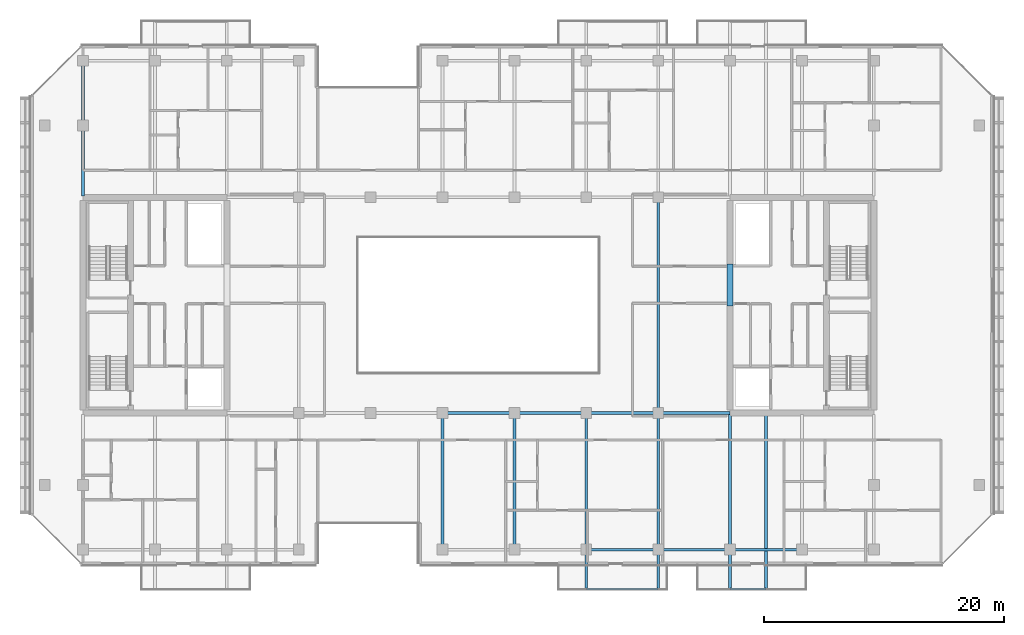
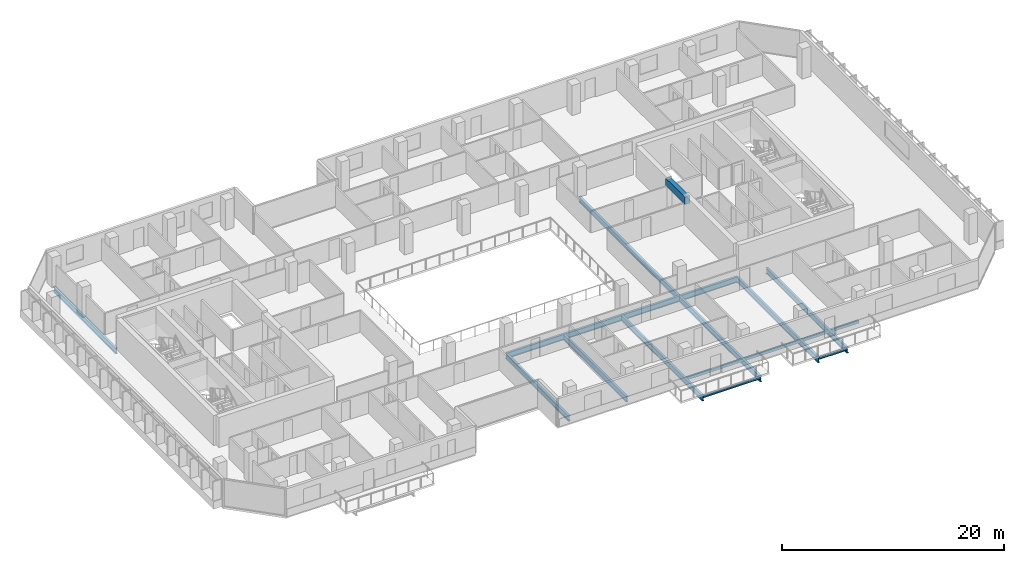
# One storey, part 7 of 29: 18 beams.
"""IFC4 building model written with IfcOpenShell, lengths in metres."""

import ifcopenshell
import ifcopenshell.guid

model = None  # the IFC model being written
_history = None  # IfcOwnerHistory: only IFC2X3 demands one
_inside = {}  # id of a spatial element -> (the spatial element, [elements in it])
_under = {}  # id of a project, library or spatial element -> (it, [spatial elements below it])
_declared = {}  # id of a project -> (the project, [libraries it declares])
_typed = {}  # id of a type object -> (the type object, [elements of that type])
_made_of = {}  # id of a material, layer set ... -> (it, [elements and type objects made of it])


def new_model(schema):
    """Start an empty IFC model of exactly this schema.

    Asked for "IFC4X3", IfcOpenShell would pick the latest addendum, in which some entities
    have other attributes; the version numbers below select the first issue.
    IFC2X3 requires an IfcOwnerHistory on every rooted entity: one is made here for all.
    """
    global model, _history
    if schema == "IFC4X3":
        model = ifcopenshell.file(schema_version=(4, 3, 0, 0))
    else:
        model = ifcopenshell.file(schema=schema)
    _inside.clear()
    _under.clear()
    _declared.clear()
    _typed.clear()
    _made_of.clear()
    _history = None
    if model.schema == "IFC2X3":
        org = make("IfcOrganization", Name="unknown")
        user = make(
            "IfcPersonAndOrganization",
            ThePerson=make("IfcPerson", FamilyName="unknown"),
            TheOrganization=org,
        )
        app = make(
            "IfcApplication",
            ApplicationDeveloper=org,
            Version="unknown",
            ApplicationFullName="unknown",
            ApplicationIdentifier="unknown",
        )
        _history = make(
            "IfcOwnerHistory",
            OwningUser=user,
            OwningApplication=app,
            ChangeAction="ADDED",
            CreationDate=0,
        )
    return model


def make(cls, **values):
    """One entity of the class cls with the attributes given. An attribute that is None is left unset."""
    return model.create_entity(
        cls, **{name: value for name, value in values.items() if value is not None}
    )


def rooted(cls, **values):
    """An entity with a GlobalId (a new one), such as an element, a storey or a relation."""
    return make(cls, GlobalId=ifcopenshell.guid.new(), OwnerHistory=_history, **values)


def si_unit(unit_type, name, prefix=None):
    """IfcSIUnit, for example si_unit("LENGTHUNIT", "METRE", prefix="MILLI")."""
    return make("IfcSIUnit", UnitType=unit_type, Prefix=prefix, Name=name)


def assignment(units):
    """IfcUnitAssignment: the units of a project."""
    return None if units is None else make("IfcUnitAssignment", Units=units)


def point(xyz):
    """IfcCartesianPoint."""
    return None if xyz is None else make("IfcCartesianPoint", Coordinates=xyz)


def direction(xyz):
    """IfcDirection."""
    return None if xyz is None else make("IfcDirection", DirectionRatios=xyz)


def frame(location, z_axis=None, x_axis=None):
    """IfcAxis2Placement3D, a coordinate frame: its origin and axes. An axis left out is left unset."""
    return make(
        "IfcAxis2Placement3D",
        Location=point(location),
        Axis=direction(z_axis),
        RefDirection=direction(x_axis),
    )


def frame_2d(location, x_axis=None):
    """IfcAxis2Placement2D, a coordinate frame in the plane: its origin and x axis."""
    return make(
        "IfcAxis2Placement2D", Location=point(location), RefDirection=direction(x_axis)
    )


def origin():
    """The frame at (0, 0, 0) with its axes left unset."""
    return frame((0.0, 0.0, 0.0))


def origin_2d():
    """The frame at (0, 0) in the plane with its x axis left unset."""
    return frame_2d((0.0, 0.0))


def place(relative_to, where):
    """IfcLocalPlacement: puts the frame where relative to a parent placement (None: the world)."""
    return make(
        "IfcLocalPlacement", PlacementRelTo=relative_to, RelativePlacement=where
    )


def context(
    kind, dimensions, precision=None, world=None, true_north=None, identifier=None
):
    """IfcGeometricRepresentationContext, for example the 3D "Model" context."""
    return make(
        "IfcGeometricRepresentationContext",
        ContextIdentifier=identifier,
        ContextType=kind,
        CoordinateSpaceDimension=dimensions,
        Precision=precision,
        WorldCoordinateSystem=world,
        TrueNorth=true_north,
    )


def subcontext(parent, identifier, kind, view, scale=None):
    """IfcGeometricRepresentationSubContext, for example "Body" below "Model"."""
    return make(
        "IfcGeometricRepresentationSubContext",
        ContextIdentifier=identifier,
        ContextType=kind,
        ParentContext=parent,
        TargetScale=scale,
        TargetView=view,
    )


def project(units=None, contexts=None):
    """IfcProject with its units and contexts."""
    return rooted(
        "IfcProject",
        Name="project",
        RepresentationContexts=contexts,
        UnitsInContext=assignment(units),
    )


def spatial(cls, under=None, at=None, **own):
    """A site, building, storey or space (cls), placed at a placement, below another one or the project."""
    s = rooted(cls, ObjectPlacement=at, **own)
    if under is not None:
        _under.setdefault(under.id(), (under, []))[1].append(s)
    return s


def profile(cls, at=None, kind="AREA", **sizes):
    """A parametric profile (cls). Its sizes go by their IFC names, for example OverallWidth=200.0."""
    return make(cls, ProfileType=kind, Position=at, **sizes)


def rectangle(**sizes):
    """IfcRectangleProfileDef."""
    return profile("IfcRectangleProfileDef", **sizes)


def hollow_rectangle(**sizes):
    """IfcRectangleHollowProfileDef."""
    return profile("IfcRectangleHollowProfileDef", **sizes)


def i_section(**sizes):
    """IfcIShapeProfileDef."""
    return profile("IfcIShapeProfileDef", **sizes)


def extrude(swept, where, along, depth):
    """IfcExtrudedAreaSolid: the profile swept, set in the frame where, extruded along a direction by depth."""
    return make(
        "IfcExtrudedAreaSolid",
        SweptArea=swept,
        Position=where,
        ExtrudedDirection=direction(along),
        Depth=depth,
    )


def shape(context_of_items, identifier, shape_type, items):
    """IfcShapeRepresentation: the items that make up one representation, for example the "Body"."""
    return make(
        "IfcShapeRepresentation",
        ContextOfItems=context_of_items,
        RepresentationIdentifier=identifier,
        RepresentationType=shape_type,
        Items=items,
    )


def material(Name=None, Category=None):
    """IfcMaterial."""
    return make("IfcMaterial", Name=Name, Category=Category)


def material_profile(
    of_material, cross_section, Name=None, Category=None, Priority=None
):
    """IfcMaterialProfile: a cross section and its material."""
    return make(
        "IfcMaterialProfile",
        Name=Name,
        Material=of_material,
        Profile=cross_section,
        Priority=Priority,
        Category=Category,
    )


def profile_set(profiles, Name=None, composite=None):
    """IfcMaterialProfileSet."""
    return make(
        "IfcMaterialProfileSet",
        Name=Name,
        MaterialProfiles=profiles,
        CompositeProfile=composite,
    )


def made_of(thing, what):
    """Note that an element or type object is made of a material, layer set ...; save() writes the relation."""
    if what is not None:
        _made_of.setdefault(what.id(), (what, []))[1].append(thing)
    return thing


def type_object(cls, material=None, **own):
    """A type object (cls), such as IfcWallType, which elements share."""
    return made_of(rooted(cls, **own), material)


def element(
    cls,
    number,
    at=None,
    inside=None,
    cuts=None,
    type_object=None,
    material=None,
    context=None,
    identifier="Body",
    shape_type=None,
    held_by="IfcProductDefinitionShape",
    body=None,
    shapes=None,
    **own,
):
    """One element of the class cls, such as IfcWall. Its Tag is "e" and its number.

    at: its placement. inside: the storey or other place that contains it. cuts: it is an
    opening in that element (IfcRelVoidsElement). A single representation is given by context,
    identifier, shape_type and body (its items); several are given by shapes. held_by: the class
    of the entity that holds the representations. save() writes the other relations.
    """
    e = rooted(cls, Tag="e%d" % number, ObjectPlacement=at, **own)
    if body is not None:
        shapes = [shape(context, identifier, shape_type, body)]
    if shapes is not None:
        e.Representation = make(held_by, Representations=shapes)
    if inside is not None:
        _inside.setdefault(inside.id(), (inside, []))[1].append(e)
    if cuts is not None:
        rooted(
            "IfcRelVoidsElement", RelatingBuildingElement=cuts, RelatedOpeningElement=e
        )
    if type_object is not None:
        _typed.setdefault(type_object.id(), (type_object, []))[1].append(e)
    return made_of(e, material)


def aggregate(whole, parts):
    """IfcRelAggregates: a whole, such as a stair, and the parts it consists of."""
    return rooted("IfcRelAggregates", RelatingObject=whole, RelatedObjects=parts)


def save(model, path):
    """Write the relations noted so far, then the file.

    IfcRelAggregates (storeys below a building ...), IfcRelContainedInSpatialStructure (elements
    in a storey), IfcRelDefinesByType, IfcRelAssociatesMaterial and IfcRelDeclares: one each for
    every whole, place, type object, material and project.
    """
    for whole, parts in _under.values():
        aggregate(whole, parts)
    for where, things in _inside.values():
        rooted(
            "IfcRelContainedInSpatialStructure",
            RelatedElements=things,
            RelatingStructure=where,
        )
    for kind, things in _typed.values():
        rooted("IfcRelDefinesByType", RelatedObjects=things, RelatingType=kind)
    for what, things in _made_of.values():
        rooted("IfcRelAssociatesMaterial", RelatedObjects=things, RelatingMaterial=what)
    for by, libraries in _declared.values():
        rooted("IfcRelDeclares", RelatingContext=by, RelatedDefinitions=libraries)
    model.write(path)


model = new_model("IFC4")

# Units and contexts
model_context = context("Model", 3, precision=1e-05, world=origin(), true_north=direction((0.0, 1.0)))
body_context = subcontext(model_context, "Body", "Model", "MODEL_VIEW")
ifc_project = project(units=[si_unit("LENGTHUNIT", "METRE"), si_unit("AREAUNIT", "SQUARE_METRE"), si_unit("VOLUMEUNIT", "CUBIC_METRE"), si_unit("PLANEANGLEUNIT", "RADIAN"), si_unit("MASSUNIT", "GRAM", prefix="KILO")], contexts=[model_context])

# Site, building, storey
site_placement = place(None, origin())
site = spatial("IfcSite", under=ifc_project, at=site_placement, CompositionType="ELEMENT")
building_placement = place(site_placement, origin())
building = spatial("IfcBuilding", under=site, at=building_placement, Name="Tanjung Sevakor Pilgrim Tower", CompositionType="ELEMENT")
storey_placement = place(building_placement, frame((0.0, 0.0, 148.5)))
storey = spatial("IfcBuildingStorey", under=building, at=storey_placement, Name="L41", CompositionType="ELEMENT", Elevation=148.5)

# Beams
ifc_material_1 = material(Name="Steel S355J2", Category="steel")
ifc_material_profile_1 = material_profile(ifc_material_1, i_section(OverallWidth=0.230224609375, OverallDepth=0.6171875, WebThickness=0.01318359375, FlangeThickness=0.022216796875, FilletRadius=0.0126953125, at=origin_2d()))
ifc_profile_set_1 = profile_set([ifc_material_profile_1], Name="Steel S355J2")
beam_type_1 = type_object("IfcBeamType", Name="BM-B-G3-UB_610x229x140", PredefinedType="BEAM", material=ifc_profile_set_1)
for number, where, z_axis, x_axis, name in (
    (1, (54.0, 24.60009765625, -0.528564453125), (1.0, 0.0, 0.0), (0.0, 1.0, 0.0), "L41 Primary Floor Girder MAIN Y246-04"),
    (2, (60.0, 24.60009765625, -0.528564453125), (1.0, 0.0, 0.0), (0.0, 1.0, 0.0), "L41 Primary Floor Girder MAIN Y246-05"),
    (3, (66.0, 24.60009765625, -0.528564453125), (1.0, 0.0, 0.0), (0.0, 1.0, 0.0), "L41 Primary Floor Girder MAIN Y246-06"),
    (4, (72.0, 24.60009765625, -0.528564453125), (1.0, 0.0, 0.0), (0.0, 1.0, 0.0), "L41 Primary Floor Girder MAIN Y246-07"),
):
    element("IfcBeam", number, at=place(storey_placement, frame(where, z_axis=z_axis, x_axis=x_axis)), inside=storey, type_object=beam_type_1, Name=name, PredefinedType="BEAM", context=body_context, shape_type="SweptSolid", body=[
        extrude(i_section(OverallWidth=0.230224609375, OverallDepth=0.6171875, WebThickness=0.01318359375, FlangeThickness=0.022216796875, FilletRadius=0.0126953125, at=origin_2d()), origin(), (0.0, 0.0, 1.0), 6.0),
    ])
ifc_material_2 = material(Name="Steel S355J2", Category="steel")
ifc_material_profile_2 = material_profile(ifc_material_2, i_section(OverallWidth=0.22900390625, OverallDepth=0.6123046875, WebThickness=0.011962890625, FlangeThickness=0.01953125, FilletRadius=0.0126953125, at=origin_2d()))
ifc_profile_set_2 = profile_set([ifc_material_profile_2], Name="Steel S355J2")
beam_type_2 = type_object("IfcBeamType", Name="BM-B-G4-UB_610x229x125", PredefinedType="BEAM", material=ifc_profile_set_2)
beam_1_placement = place(storey_placement, frame((24.0, 42.715087890625, -0.526123046875), z_axis=(0.0, 1.0, 0.0), x_axis=(-1.0, 0.0, 0.0)))
element("IfcBeam", 5, at=beam_1_placement, inside=storey, type_object=beam_type_2, Name="L41 MAIN Girder 002", PredefinedType="BEAM", context=body_context, shape_type="SweptSolid", body=[
    extrude(i_section(OverallWidth=0.22900390625, OverallDepth=0.6123046875, WebThickness=0.011962890625, FlangeThickness=0.01953125, FilletRadius=0.0126953125, at=origin_2d()), origin(), (0.0, 0.0, 1.0), 11.284912109375),
])
for number, where, z_axis, x_axis, name in (
    (6, (54.0, 13.199951171875, -0.526123046875), (0.0, 1.0, 0.0), (-1.0, 0.0, 0.0), "L41 MAIN Girder 006"),
    (7, (60.0, 13.199951171875, -0.526123046875), (0.0, 1.0, 0.0), (-1.0, 0.0, 0.0), "L41 MAIN Girder 008"),
):
    element("IfcBeam", number, at=place(storey_placement, frame(where, z_axis=z_axis, x_axis=x_axis)), inside=storey, type_object=beam_type_2, Name=name, PredefinedType="BEAM", context=body_context, shape_type="SweptSolid", body=[
        extrude(i_section(OverallWidth=0.22900390625, OverallDepth=0.6123046875, WebThickness=0.011962890625, FlangeThickness=0.01953125, FilletRadius=0.0126953125, at=origin_2d()), origin(), (0.0, 0.0, 1.0), 11.400146484375),
    ])
for number, where, z_axis, x_axis, name in (
    (8, (66.0, 24.60009765625, -0.526123046875), (0.0, -1.0, 0.0), (1.0, 0.0, 0.0), "L41 Balcony Cantilever Beam MAIN-S2-1"),
    (9, (72.0, 24.60009765625, -0.526123046875), (0.0, -1.0, 0.0), (1.0, 0.0, 0.0), "L41 Balcony Cantilever Beam MAIN-S2-2"),
):
    element("IfcBeam", number, at=place(storey_placement, frame(where, z_axis=z_axis, x_axis=x_axis)), inside=storey, type_object=beam_type_2, Name=name, PredefinedType="BEAM", context=body_context, shape_type="SweptSolid", body=[
        extrude(i_section(OverallWidth=0.22900390625, OverallDepth=0.6123046875, WebThickness=0.011962890625, FlangeThickness=0.01953125, FilletRadius=0.0126953125, at=origin_2d()), origin(), (0.0, 0.0, 1.0), 14.68017578125),
    ])
beam_2_placement = place(storey_placement, frame((72.0, 24.60009765625, -0.526123046875), z_axis=(0.0, 1.0, 0.0), x_axis=(-1.0, 0.0, 0.0)))
element("IfcBeam", 10, at=beam_2_placement, inside=storey, type_object=beam_type_2, Name="L41 MAIN Girder 010", PredefinedType="BEAM", context=body_context, shape_type="SweptSolid", body=[
    extrude(i_section(OverallWidth=0.22900390625, OverallDepth=0.6123046875, WebThickness=0.011962890625, FlangeThickness=0.01953125, FilletRadius=0.0126953125, at=origin_2d()), origin(), (0.0, 0.0, 1.0), 18.0),
])
for number, where, z_axis, x_axis, name in (
    (11, (78.0, 24.48486328125, -0.526123046875), (0.0, -1.0, 0.0), (1.0, 0.0, 0.0), "L41 Balcony Cantilever Beam MAIN-S3-1"),
    (12, (81.0, 24.48486328125, -0.526123046875), (0.0, -1.0, 0.0), (1.0, 0.0, 0.0), "L41 Balcony Cantilever Beam MAIN-S3-2"),
):
    element("IfcBeam", number, at=place(storey_placement, frame(where, z_axis=z_axis, x_axis=x_axis)), inside=storey, type_object=beam_type_2, Name=name, PredefinedType="BEAM", context=body_context, shape_type="SweptSolid", body=[
        extrude(i_section(OverallWidth=0.22900390625, OverallDepth=0.6123046875, WebThickness=0.011962890625, FlangeThickness=0.01953125, FilletRadius=0.0126953125, at=origin_2d()), origin(), (0.0, 0.0, 1.0), 14.56494140625),
    ])
ifc_material_3 = material(Name="Steel S355J2", Category="steel")
ifc_material_profile_3 = material_profile(ifc_material_3, i_section(OverallWidth=0.146484375, OverallDepth=0.256103515625, WebThickness=0.00634765625, FlangeThickness=0.010986328125, FilletRadius=0.007568359375, at=origin_2d()))
ifc_profile_set_3 = profile_set([ifc_material_profile_3], Name="Steel S355J2")
beam_type_3 = type_object("IfcBeamType", Name="BM-B-J6-UB_254x146x37", PredefinedType="JOIST", material=ifc_profile_set_3)
beam_3_placement = place(storey_placement, frame((66.0, 9.919921875, -0.327880859375), z_axis=(1.0, 0.0, 0.0), x_axis=(0.0, 1.0, 0.0)))
element("IfcBeam", 13, at=beam_3_placement, inside=storey, type_object=beam_type_3, Name="L41 Balcony Rim Tie MAIN-S2", PredefinedType="JOIST", context=body_context, shape_type="SweptSolid", body=[
    extrude(i_section(OverallWidth=0.146484375, OverallDepth=0.256103515625, WebThickness=0.00634765625, FlangeThickness=0.010986328125, FilletRadius=0.007568359375, at=origin_2d()), origin(), (0.0, 0.0, 1.0), 6.0),
])
beam_4_placement = place(storey_placement, frame((78.0, 9.919921875, -0.327880859375), z_axis=(1.0, 0.0, 0.0), x_axis=(0.0, 1.0, 0.0)))
element("IfcBeam", 14, at=beam_4_placement, inside=storey, type_object=beam_type_3, Name="L41 Balcony Rim Tie MAIN-S3", PredefinedType="JOIST", context=body_context, shape_type="SweptSolid", body=[
    extrude(i_section(OverallWidth=0.146484375, OverallDepth=0.256103515625, WebThickness=0.00634765625, FlangeThickness=0.010986328125, FilletRadius=0.007568359375, at=origin_2d()), origin(), (0.0, 0.0, 1.0), 3.0),
])
ifc_material_4 = material(Name="Concrete C60/75", Category="concrete")
ifc_material_profile_4 = material_profile(ifc_material_4, rectangle(XDim=0.5, YDim=0.800048828125, at=origin_2d()))
ifc_profile_set_4 = profile_set([ifc_material_profile_4], Name="Concrete C60/75")
beam_type_4 = type_object("IfcBeamType", Name="BM-B-LN2-RC-BM_500x800", PredefinedType="LINTEL", material=ifc_profile_set_4)
beam_5_placement = place(storey_placement, frame((78.0, 33.550048828125, 2.679931640625), z_axis=(0.0, 1.0, 0.0), x_axis=(-1.0, 0.0, 0.0)))
element("IfcBeam", 15, at=beam_5_placement, inside=storey, type_object=beam_type_4, Name="L41 E Core Coupling Lintel", PredefinedType="LINTEL", context=body_context, shape_type="SweptSolid", body=[
    extrude(rectangle(XDim=0.5, YDim=0.800048828125, at=origin_2d()), origin(), (0.0, 0.0, 1.0), 3.5),
])
ifc_material_5 = material(Name="Steel S355J2", Category="steel")
ifc_material_profile_5 = material_profile(ifc_material_5, hollow_rectangle(XDim=0.199951171875, YDim=0.300048828125, WallThickness=0.012451171875, at=origin_2d()))
ifc_profile_set_5 = profile_set([ifc_material_profile_5], Name="Steel S355J2")
beam_type_5 = type_object("IfcBeamType", Name="BM-B-SP3-RHS_300x200x12.5", PredefinedType="SPANDREL", material=ifc_profile_set_5)
for number, where, z_axis, x_axis, name in (
    (16, (66.0, 13.199951171875, -0.3701171875), (1.0, 0.0, 0.0), (0.0, 1.0, 0.0), "L41 Spandrel MAIN S-11"),
    (17, (72.0, 13.199951171875, -0.3701171875), (1.0, 0.0, 0.0), (0.0, 1.0, 0.0), "L41 Spandrel MAIN S-13"),
    (18, (78.0, 13.199951171875, -0.3701171875), (1.0, 0.0, 0.0), (0.0, 1.0, 0.0), "L41 Spandrel MAIN S-15"),
):
    element("IfcBeam", number, at=place(storey_placement, frame(where, z_axis=z_axis, x_axis=x_axis)), inside=storey, type_object=beam_type_5, Name=name, PredefinedType="SPANDREL", context=body_context, shape_type="SweptSolid", body=[
        extrude(hollow_rectangle(XDim=0.199951171875, YDim=0.300048828125, WallThickness=0.012451171875, at=origin_2d()), origin(), (0.0, 0.0, 1.0), 6.0),
    ])

save(model, "model.ifc")
